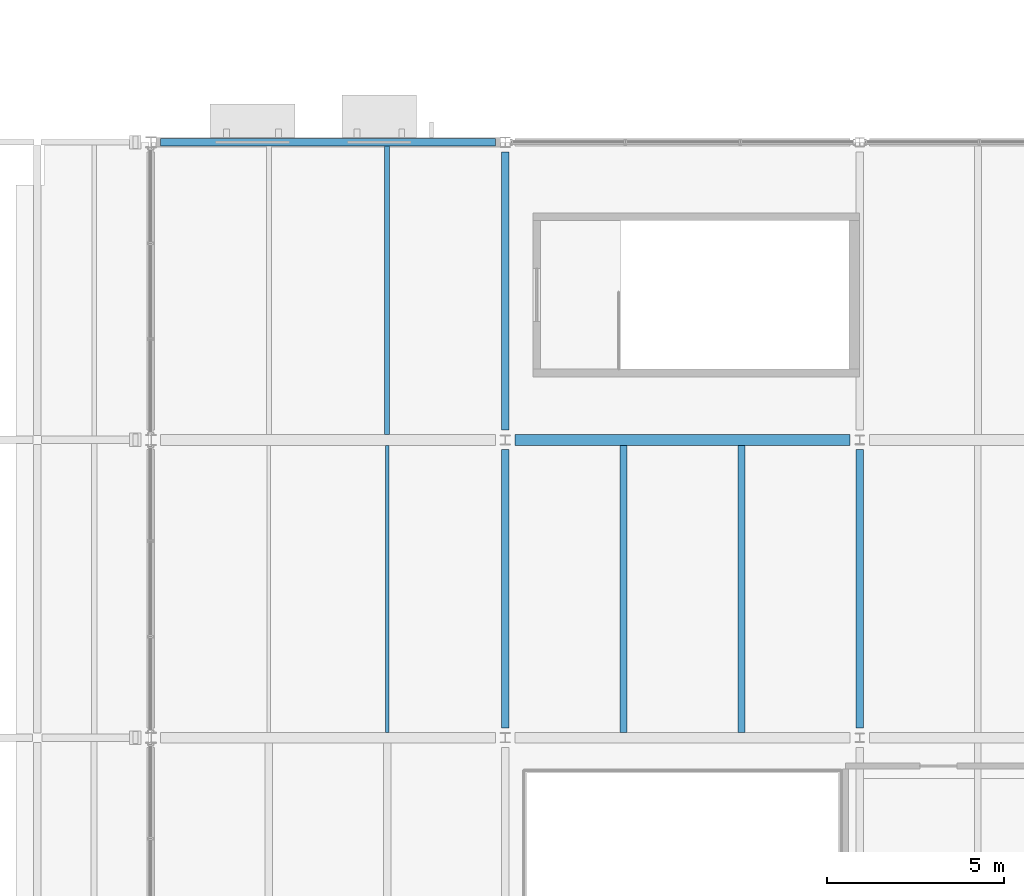
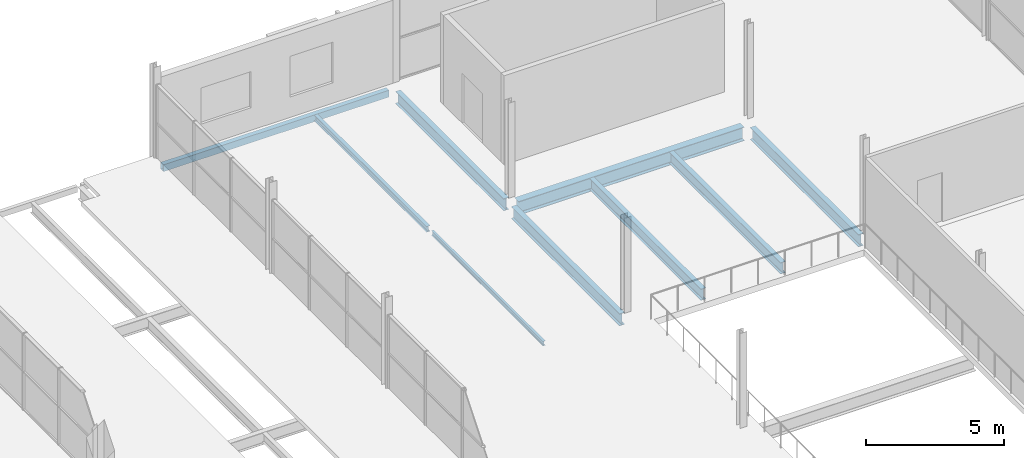
# One storey, part 116 of 161: 9 beams.
"""IFC4 building model written with IfcOpenShell, lengths in metres."""

from ifc_helpers import new_model, si_unit, direction, frame, origin, origin_2d, place, context, subcontext, project, spatial, hollow_rectangle, i_section, extrude, material, material_profile, profile_set, type_object, element, save


model = new_model("IFC4")

# Units and contexts
model_context = context("Model", 3, precision=1e-05, world=origin(), true_north=direction((0.0, 1.0)))
body_context = subcontext(model_context, "Body", "Model", "MODEL_VIEW")
ifc_project = project(units=[si_unit("LENGTHUNIT", "METRE"), si_unit("AREAUNIT", "SQUARE_METRE"), si_unit("VOLUMEUNIT", "CUBIC_METRE"), si_unit("PLANEANGLEUNIT", "RADIAN"), si_unit("MASSUNIT", "GRAM", prefix="KILO"), si_unit("THERMODYNAMICTEMPERATUREUNIT", "KELVIN")], contexts=[model_context])

# Site, building, storey
site_placement = place(None, origin())
site = spatial("IfcSite", under=ifc_project, at=site_placement, CompositionType="ELEMENT")
building_placement = place(site_placement, origin())
building = spatial("IfcBuilding", under=site, at=building_placement, Name="Nduvali Passage Aquatics Centre", CompositionType="ELEMENT")
storey_placement = place(building_placement, frame((0.0, 0.0, 4.800048828125)))
storey = spatial("IfcBuildingStorey", under=building, at=storey_placement, Name="L01", CompositionType="ELEMENT", Elevation=4.800048828125)

# Beams
ifc_material = material(Name="Steel S355", Category="steel")
ifc_material_profile_1 = material_profile(ifc_material, i_section(OverallWidth=0.210693359375, OverallDepth=0.53955078125, WebThickness=0.01171875, FlangeThickness=0.018798828125, FilletRadius=0.0126953125, at=origin_2d()), Name="UKB 533x210x109")
ifc_profile_set_1 = profile_set([ifc_material_profile_1], Name="Steel S355")
beam_type_1 = type_object("IfcBeamType", Name="STR-BM-UKB533", PredefinedType="BEAM", material=ifc_profile_set_1)
for number, where, z_axis, x_axis, name in (
    (1, (148.0, 75.875, -0.553955078125), (0.0, 1.0, 0.0), (-1.0, 0.0, 0.0), "L01 Primary Y-Girder B6-0672"),
    (2, (148.0, 84.27490234375, -0.553955078125), (0.0, 1.0, 0.0), (-1.0, 0.0, 0.0), "L01 Primary Y-Girder B6-0673"),
    (3, (158.0, 75.875, -0.553955078125), (0.0, 1.0, 0.0), (-1.0, 0.0, 0.0), "L01 Primary Y-Girder B6-0680"),
):
    element("IfcBeam", number, at=place(storey_placement, frame(where, z_axis=z_axis, x_axis=x_axis)), inside=storey, type_object=beam_type_1, Name=name, PredefinedType="BEAM", context=body_context, shape_type="SweptSolid", body=[
        extrude(i_section(OverallWidth=0.210693359375, OverallDepth=0.53955078125, WebThickness=0.01171875, FlangeThickness=0.018798828125, FilletRadius=0.0126953125, at=origin_2d()), origin(), (0.0, 0.0, 1.0), 7.85009765625),
    ])
ifc_material_profile_2 = material_profile(ifc_material, i_section(OverallWidth=0.3046875, OverallDepth=0.6123046875, WebThickness=0.01171875, FlangeThickness=0.019775390625, FilletRadius=0.0166015625, at=origin_2d()), Name="UKB 610x305x149")
ifc_profile_set_2 = profile_set([ifc_material_profile_2], Name="Steel S355")
beam_type_2 = type_object("IfcBeamType", Name="STR-BM-UKB610W", PredefinedType="BEAM", material=ifc_profile_set_2)
beam_1_placement = place(storey_placement, frame((148.27490234375, 84.0, -0.59033203125), z_axis=(1.0, 0.0, 0.0), x_axis=(0.0, 1.0, 0.0)))
element("IfcBeam", 4, at=beam_1_placement, inside=storey, type_object=beam_type_2, Name="L01 Primary X-Girder B5A-0522", PredefinedType="BEAM", context=body_context, shape_type="SweptSolid", body=[
    extrude(i_section(OverallWidth=0.3046875, OverallDepth=0.6123046875, WebThickness=0.01171875, FlangeThickness=0.019775390625, FilletRadius=0.0166015625, at=origin_2d()), origin(), (0.0, 0.0, 1.0), 9.4501953125),
])
ifc_material_profile_3 = material_profile(ifc_material, i_section(OverallWidth=0.10009765625, OverallDepth=0.199951171875, WebThickness=0.005615234375, FlangeThickness=0.008544921875, FilletRadius=0.011962890625, at=origin_2d()), Name="IPE 200")
ifc_profile_set_3 = profile_set([ifc_material_profile_3], Name="Steel S355")
beam_type_3 = type_object("IfcBeamType", Name="STR-JST-IPE200", PredefinedType="JOIST", material=ifc_profile_set_3)
beam_2_placement = place(storey_placement, frame((144.666748046875, 75.75244140625, -0.384033203125), z_axis=(0.0, 1.0, 0.0), x_axis=(-1.0, 0.0, 0.0)))
element("IfcBeam", 5, at=beam_2_placement, inside=storey, type_object=beam_type_3, Name="L01 Secondary Joist J9A-0792", PredefinedType="JOIST", context=body_context, shape_type="SweptSolid", body=[
    extrude(i_section(OverallWidth=0.10009765625, OverallDepth=0.199951171875, WebThickness=0.005615234375, FlangeThickness=0.008544921875, FilletRadius=0.011962890625, at=origin_2d()), origin(), (0.0, 0.0, 1.0), 8.09521484375),
])
ifc_material_profile_4 = material_profile(ifc_material, i_section(OverallWidth=0.199951171875, OverallDepth=0.5, WebThickness=0.01025390625, FlangeThickness=0.01611328125, FilletRadius=0.02099609375, at=origin_2d()), Name="IPE 500")
ifc_profile_set_4 = profile_set([ifc_material_profile_4], Name="Steel S355")
beam_type_4 = type_object("IfcBeamType", Name="STR-JST-IPE500", PredefinedType="JOIST", material=ifc_profile_set_4)
for number, where, z_axis, x_axis, name in (
    (6, (151.333251953125, 75.75244140625, -0.533935546875), (0.0, 1.0, 0.0), (-1.0, 0.0, 0.0), "L01 Secondary Joist J5A-0793"),
    (7, (154.666748046875, 75.75244140625, -0.533935546875), (0.0, 1.0, 0.0), (-1.0, 0.0, 0.0), "L01 Secondary Joist J5A-0794"),
):
    element("IfcBeam", number, at=place(storey_placement, frame(where, z_axis=z_axis, x_axis=x_axis)), inside=storey, type_object=beam_type_4, Name=name, PredefinedType="JOIST", context=body_context, shape_type="SweptSolid", body=[
        extrude(i_section(OverallWidth=0.199951171875, OverallDepth=0.5, WebThickness=0.01025390625, FlangeThickness=0.01611328125, FilletRadius=0.02099609375, at=origin_2d()), origin(), (0.0, 0.0, 1.0), 8.09521484375),
    ])
ifc_material_profile_5 = material_profile(ifc_material, i_section(OverallWidth=0.146484375, OverallDepth=0.256103515625, WebThickness=0.00634765625, FlangeThickness=0.010986328125, FilletRadius=0.007568359375, at=origin_2d()), Name="UKB 254x146x37")
ifc_profile_set_5 = profile_set([ifc_material_profile_5], Name="Steel S355")
beam_type_5 = type_object("IfcBeamType", Name="STR-JST-UKB254", PredefinedType="JOIST", material=ifc_profile_set_5)
beam_3_placement = place(storey_placement, frame((144.666748046875, 84.15234375, -0.412109375), z_axis=(0.0, 1.0, 0.0), x_axis=(-1.0, 0.0, 0.0)))
element("IfcBeam", 8, at=beam_3_placement, inside=storey, type_object=beam_type_5, Name="L01 Secondary Joist J4-0814", PredefinedType="JOIST", context=body_context, shape_type="SweptSolid", body=[
    extrude(i_section(OverallWidth=0.146484375, OverallDepth=0.256103515625, WebThickness=0.00634765625, FlangeThickness=0.010986328125, FilletRadius=0.007568359375, at=origin_2d()), origin(), (0.0, 0.0, 1.0), 8.147705078125),
])
ifc_material_profile_6 = material_profile(ifc_material, hollow_rectangle(XDim=0.199951171875, YDim=0.300048828125, WallThickness=0.010009765625, at=origin_2d()), Name="RHS 300x200x10.0")
ifc_profile_set_6 = profile_set([ifc_material_profile_6], Name="Steel S355")
beam_type_6 = type_object("IfcBeamType", Name="STR-SPN-RHS300-EXT", PredefinedType="SPANDREL", material=ifc_profile_set_6)
beam_4_placement = place(storey_placement, frame((138.27490234375, 92.39990234375, -0.43408203125), z_axis=(1.0, 0.0, 0.0), x_axis=(0.0, 1.0, 0.0)))
element("IfcBeam", 9, at=beam_4_placement, inside=storey, type_object=beam_type_6, Name="L01 Primary X-Girder SP3E-0534", PredefinedType="SPANDREL", context=body_context, shape_type="SweptSolid", body=[
    extrude(hollow_rectangle(XDim=0.199951171875, YDim=0.300048828125, WallThickness=0.010009765625, at=origin_2d()), origin(), (0.0, 0.0, 1.0), 9.4501953125),
])

save(model, "model.ifc")
